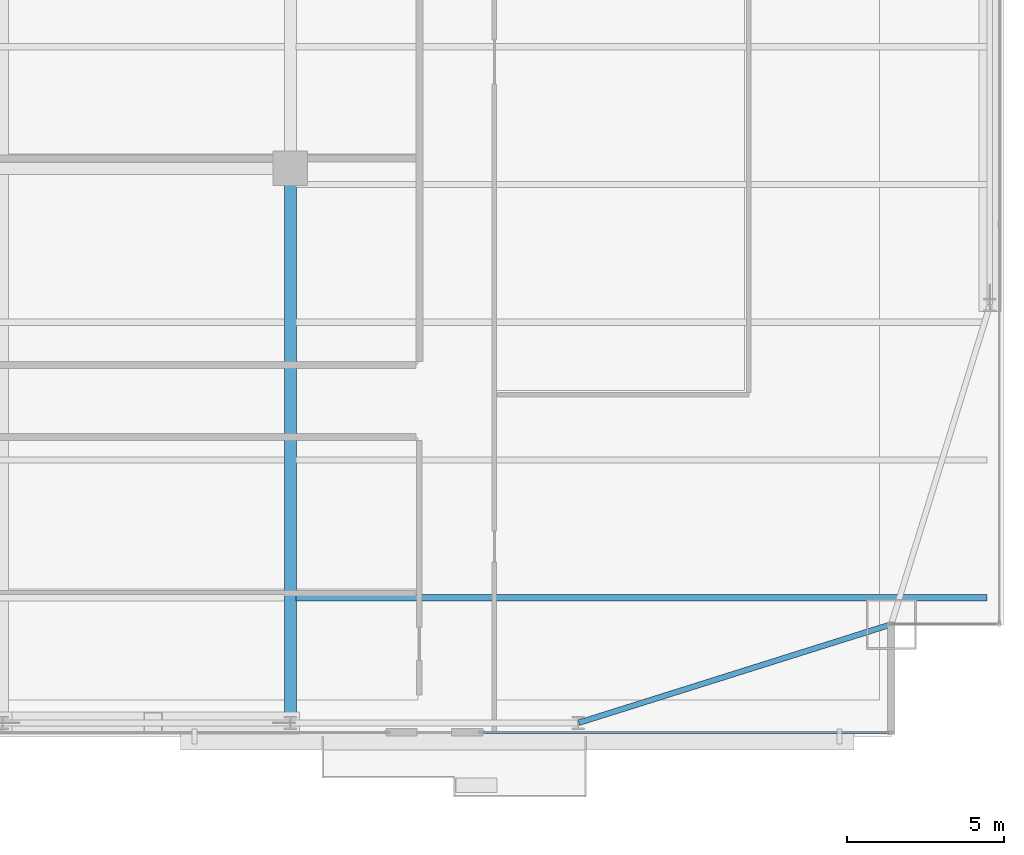
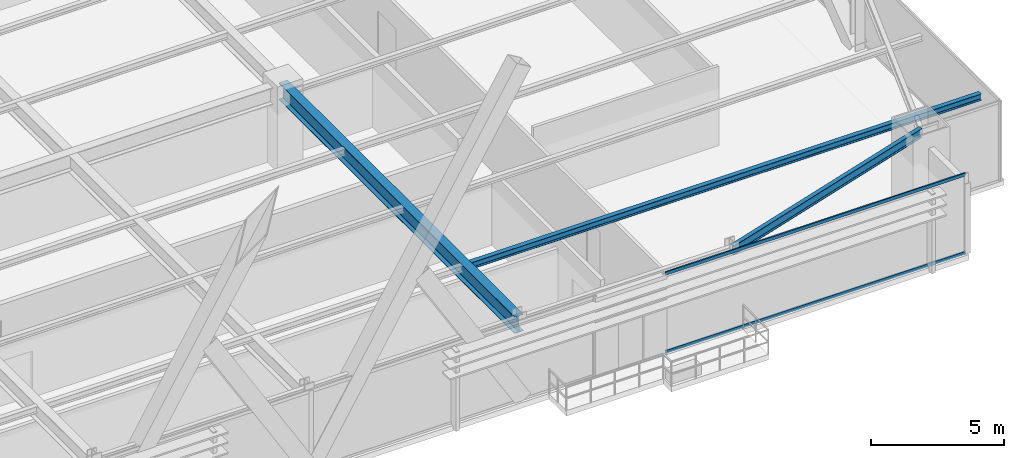
# One storey, part 14 of 32: 3 beams, 2 members, 1 element without a shape of its own.
"""IFC4 building model written with IfcOpenShell, lengths in metres."""

from ifc_helpers import new_model, si_unit, direction, frame, origin, origin_2d, place, context, subcontext, project, spatial, hollow_rectangle, i_section, extrude, source, transform, mapped, material, layer, layer_set, material_profile, profile_set, type_object, type_shapes, element, aggregate, save


model = new_model("IFC4")

# Units and contexts
model_context = context("Model", 3, precision=1e-05, world=origin(), true_north=direction((0.0, 1.0)))
body_context = subcontext(model_context, "Body", "Model", "MODEL_VIEW")
ifc_project = project(units=[si_unit("LENGTHUNIT", "METRE"), si_unit("AREAUNIT", "SQUARE_METRE"), si_unit("VOLUMEUNIT", "CUBIC_METRE"), si_unit("PLANEANGLEUNIT", "RADIAN"), si_unit("MASSUNIT", "GRAM", prefix="KILO")], contexts=[model_context])

# Site, building, storey
site_placement = place(None, origin())
site = spatial("IfcSite", under=ifc_project, at=site_placement, CompositionType="ELEMENT")
building_placement = place(site_placement, origin())
building = spatial("IfcBuilding", under=site, at=building_placement, Name="Varnel Quay Broadcast Tower", CompositionType="ELEMENT")
storey_placement = place(building_placement, frame((0.0, 0.0, 43.199951171875)))
storey = spatial("IfcBuildingStorey", under=building, at=storey_placement, Name="L09", CompositionType="ELEMENT", Elevation=43.199951171875)

# Beams
ifc_material_1 = material(Name="Structural Steel CSA G40.21 350W", Category="steel")
ifc_material_profile_1 = material_profile(ifc_material_1, i_section(OverallWidth=0.180908203125, OverallDepth=0.4169921875, WebThickness=0.010986328125, FlangeThickness=0.018310546875, FilletRadius=0.011962890625, at=origin_2d()), Name="W410X85")
ifc_profile_set_1 = profile_set([ifc_material_profile_1], Name="Structural Steel CSA G40.21 350W")
beam_type_1 = type_object("IfcBeamType", Name="Beam_W410X85", PredefinedType="SPANDREL", material=ifc_profile_set_1)
shared_shape_1 = source(origin(), body_context, "Body", "SweptSolid", [
    extrude(i_section(OverallWidth=0.180908203125, OverallDepth=0.4169921875, WebThickness=0.010986328125, FlangeThickness=0.018310546875, FilletRadius=0.011962890625, at=origin_2d()), origin(), (0.0, 0.0, 1.0), 10.444091796875),
])
type_shapes(beam_type_1, [shared_shape_1])
beam_1_placement = place(storey_placement, frame((52.419189453125, 1.656005859375, 3.441650390625), z_axis=(0.953798277271, 0.300447743003, 0.0), x_axis=(-0.300447743003, 0.953798277271, 0.0)))
element("IfcBeam", 1, at=beam_1_placement, inside=storey, type_object=beam_type_1, Name="L09 South Spandrel TC-S5-MC-SE", PredefinedType="SPANDREL", context=body_context, shape_type="MappedRepresentation", body=[
    mapped(shared_shape_1, transform((0.0, 0.0, 0.0), x_axis=(1.0, 0.0, 0.0), y_axis=(0.0, 1.0, 0.0), z_axis=(0.0, 0.0, 1.0), scale=1.0)),
])
ifc_material_profile_2 = material_profile(ifc_material_1, i_section(OverallWidth=0.381103515625, OverallDepth=0.77294921875, WebThickness=0.0166015625, FlangeThickness=0.027587890625, FilletRadius=0.01806640625, at=origin_2d()), Name="W760X257")
ifc_profile_set_2 = profile_set([ifc_material_profile_2], Name="Structural Steel CSA G40.21 350W")
beam_type_2 = type_object("IfcBeamType", Name="Girder_W760X257", PredefinedType="BEAM", material=ifc_profile_set_2)
shared_shape_2 = source(origin(), body_context, "Body", "SweptSolid", [
    extrude(i_section(OverallWidth=0.381103515625, OverallDepth=0.77294921875, WebThickness=0.0166015625, FlangeThickness=0.027587890625, FilletRadius=0.01806640625, at=origin_2d()), origin(), (0.0, 0.0, 1.0), 17.68017578125),
])
type_shapes(beam_type_2, [shared_shape_2])
beam_2_placement = place(storey_placement, frame((43.199951171875, 1.669921875, 3.263427734375), z_axis=(0.0, 1.0, 0.0), x_axis=(-1.0, 0.0, 0.0)))
element("IfcBeam", 2, at=beam_2_placement, inside=storey, type_object=beam_type_2, Name="L09 Primary Girder TC-S4-IC-02", PredefinedType="BEAM", context=body_context, shape_type="MappedRepresentation", body=[
    mapped(shared_shape_2, transform((0.0, 0.0, 0.0), x_axis=(1.0, 0.0, 0.0), y_axis=(0.0, 1.0, 0.0), z_axis=(0.0, 0.0, 1.0), scale=1.0)),
])
ifc_material_profile_3 = material_profile(ifc_material_1, i_section(OverallWidth=0.202880859375, OverallDepth=0.302978515625, WebThickness=0.007568359375, FlangeThickness=0.01318359375, FilletRadius=0.011962890625, at=origin_2d()), Name="W310X60")
ifc_profile_set_3 = profile_set([ifc_material_profile_3], Name="Structural Steel CSA G40.21 350W")
beam_type_3 = type_object("IfcBeamType", Name="Beam_W310X60", PredefinedType="JOIST", material=ifc_profile_set_3)
shared_shape_3 = source(origin(), body_context, "Body", "SweptSolid", [
    extrude(i_section(OverallWidth=0.202880859375, OverallDepth=0.302978515625, WebThickness=0.007568359375, FlangeThickness=0.01318359375, FilletRadius=0.011962890625, at=origin_2d()), origin(), (0.0, 0.0, 1.0), 22.0791015625),
])
type_shapes(beam_type_3, [shared_shape_3])
beam_3_placement = place(storey_placement, frame((43.385498046875, 5.64990234375, 3.49853515625), z_axis=(1.0, 0.0, 0.0), x_axis=(0.0, 1.0, 0.0)))
element("IfcBeam", 3, at=beam_3_placement, inside=storey, type_object=beam_type_3, Name="L09 East Floor Joist 1", PredefinedType="JOIST", context=body_context, shape_type="MappedRepresentation", body=[
    mapped(shared_shape_3, transform((0.0, 0.0, 0.0), x_axis=(1.0, 0.0, 0.0), y_axis=(0.0, 1.0, 0.0), z_axis=(0.0, 0.0, 1.0), scale=1.0)),
])

# Curtain wall, members
ifc_material_2 = material(Name="Anodised Bronze Aluminium 6063-T6", Category="aluminium")
ifc_layer = layer(ifc_material_2, 0.18994140625, Name="Anodised Bronze Aluminium 6063-T6")
ifc_layer_set = layer_set([ifc_layer], Name="Anodised Bronze Aluminium 6063-T6")
curtain_wall_type = type_object("IfcCurtainWallType", Name="CW_LowerTower", PredefinedType="NOTDEFINED", material=ifc_layer_set)
curtain_wall_placement = place(storey_placement, origin())
curtain_wall = element("IfcCurtainWall", 4, at=curtain_wall_placement, inside=storey, type_object=curtain_wall_type, Name="L09 South Unitised Curtain Wall 3", PredefinedType="NOTDEFINED")
ifc_material_profile_4 = material_profile(ifc_material_2, hollow_rectangle(XDim=0.06005859375, YDim=0.14501953125, WallThickness=0.00341796875, at=origin_2d()), Name="ALU60X145X3.5")
ifc_profile_set_4 = profile_set([ifc_material_profile_4], Name="Anodised Bronze Aluminium 6063-T6")
member_type = type_object("IfcMemberType", Name="Tran_CWS-02", PredefinedType="USERDEFINED", material=ifc_profile_set_4)
shared_shape_4 = source(origin(), body_context, "Body", "SweptSolid", [
    extrude(hollow_rectangle(XDim=0.06005859375, YDim=0.14501953125, WallThickness=0.00341796875, at=origin_2d()), origin(), (0.0, 0.0, 1.0), 12.97998046875),
])
type_shapes(member_type, [shared_shape_4])
member_1_placement = place(storey_placement, frame((49.35009765625, 1.35009765625, 0.030029296875), z_axis=(1.0, 0.0, 0.0), x_axis=(0.0, 1.0, 0.0)))
member_1 = element("IfcMember", 5, at=member_1_placement, type_object=member_type, Name="CWS-02 transom 1.1", ObjectType="TRANSOM", PredefinedType="USERDEFINED", context=body_context, shape_type="MappedRepresentation", body=[
    mapped(shared_shape_4, transform((0.0, 0.0, 0.0), x_axis=(1.0, 0.0, 0.0), y_axis=(0.0, 1.0, 0.0), z_axis=(0.0, 0.0, 1.0), scale=1.0)),
])
member_2_placement = place(storey_placement, frame((49.35009765625, 1.35009765625, 3.6201171875), z_axis=(1.0, 0.0, 0.0), x_axis=(0.0, 1.0, 0.0)))
member_2 = element("IfcMember", 6, at=member_2_placement, type_object=member_type, Name="CWS-02 transom 1.2", ObjectType="TRANSOM", PredefinedType="USERDEFINED", context=body_context, shape_type="MappedRepresentation", body=[
    mapped(shared_shape_4, transform((0.0, 0.0, 0.0), x_axis=(1.0, 0.0, 0.0), y_axis=(0.0, 1.0, 0.0), z_axis=(0.0, 0.0, 1.0), scale=1.0)),
])
aggregate(curtain_wall, [member_1, member_2])

save(model, "model.ifc")
